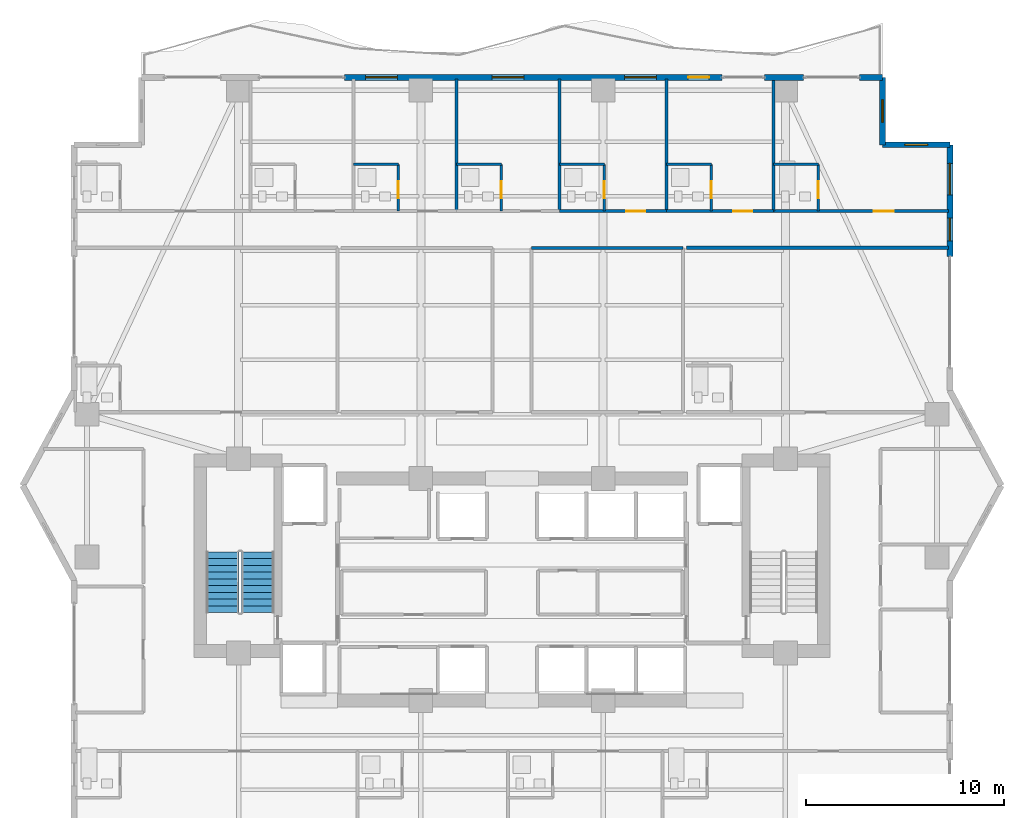
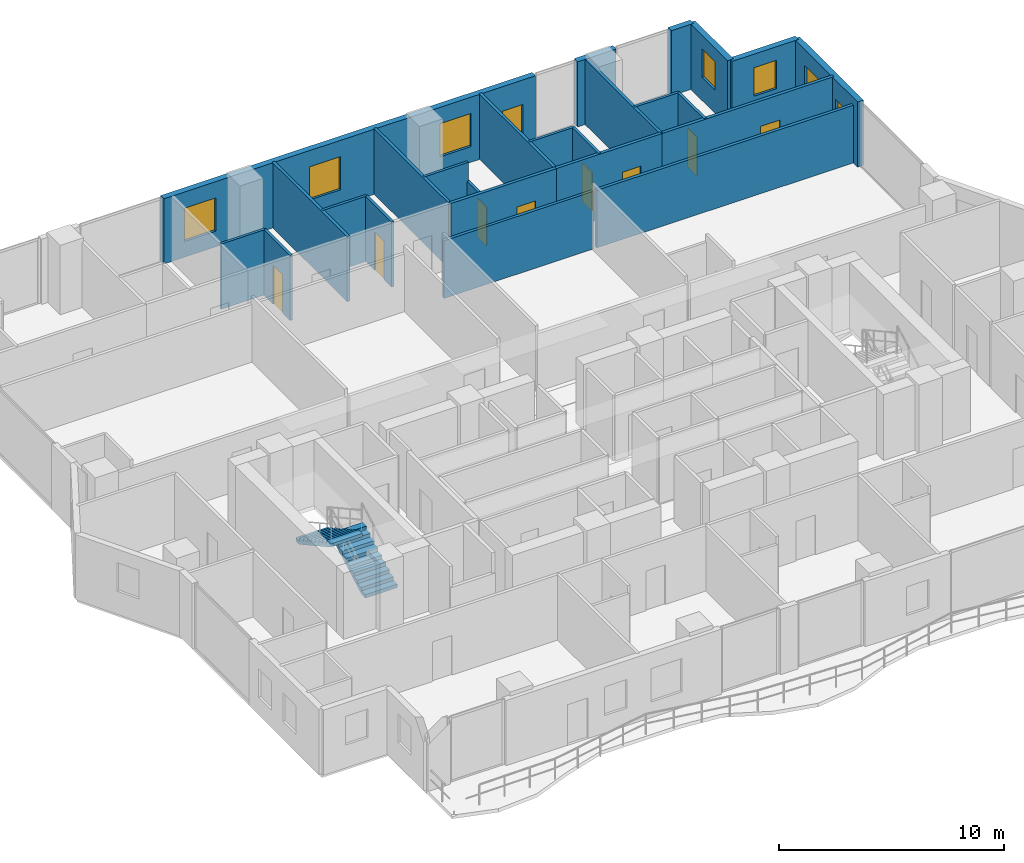
# One storey, part 28 of 33: 25 walls, 9 doors, 7 windows, 2 stair flights, 16 openings, 1 element without a shape of its own.
"""IFC4 building model written with IfcOpenShell, lengths in metres."""

from ifc_helpers import new_model, si_unit, direction, frame, frame_2d, origin, place, context, subcontext, project, spatial, polyline, rectangle, outline, extrude, material, layer, layer_set, type_object, element, fill, aggregate, save


model = new_model("IFC4")

# Units and contexts
model_context = context("Model", 3, precision=1e-05, world=origin(), true_north=direction((0.0, 1.0)))
body_context = subcontext(model_context, "Body", "Model", "MODEL_VIEW")
ifc_project = project(units=[si_unit("LENGTHUNIT", "METRE"), si_unit("AREAUNIT", "SQUARE_METRE"), si_unit("VOLUMEUNIT", "CUBIC_METRE"), si_unit("PLANEANGLEUNIT", "RADIAN"), si_unit("MASSUNIT", "GRAM", prefix="KILO")], contexts=[model_context])

# Site, building, storey
site_placement = place(None, origin())
site = spatial("IfcSite", under=ifc_project, at=site_placement, CompositionType="ELEMENT")
building_placement = place(site_placement, origin())
building = spatial("IfcBuilding", under=site, at=building_placement, Name="Zuhayl Quay Hotel", CompositionType="ELEMENT")
storey_placement = place(building_placement, frame((0.0, 0.0, 199.89990234375)))
storey = spatial("IfcBuildingStorey", under=building, at=storey_placement, Name="L50", CompositionType="ELEMENT", Elevation=199.89990234375)

# Wall, openings, door, windows
ifc_material_1 = material(Name="Precast concrete C45/55", Category="concrete")
ifc_layer_1 = layer(ifc_material_1, 0.300048828125, Name="Precast concrete C45/55", Category="concrete")
ifc_layer_set_1 = layer_set([ifc_layer_1], Name="Precast concrete C45/55")
wall_type_1 = type_object("IfcWallType", Name="WL_EXT_300", PredefinedType="STANDARD", material=ifc_layer_set_1)
wall_1_placement = place(storey_placement, frame((-8.449951171875, 33.60009765625, 0.0), z_axis=(0.0, 0.0, 1.0), x_axis=(1.0, 0.0, 0.0)))
wall_1 = element("IfcWall", 1, at=wall_1_placement, inside=storey, type_object=wall_type_1, Name="L50 Exterior Precast Wall ENV_L50_N_EW3", PredefinedType="STANDARD", context=body_context, shape_type="SweptSolid", body=[
    extrude(rectangle(XDim=19.044921875, YDim=0.300048828125, at=frame_2d((9.5224609375, 0.0))), origin(), (0.0, 0.0, 1.0), 3.530029296875),
])
opening_1_placement = place(wall_1_placement, frame((17.344970703125, 0.0, 0.0)))
opening_1 = element("IfcOpeningElement", 2, at=opening_1_placement, cuts=wall_1, Name="Opening DG1", PredefinedType="OPENING", context=body_context, shape_type="SweptSolid", body=[
    extrude(rectangle(XDim=1.050048828125, YDim=2.199951171875, at=frame_2d((0.52490234375, 1.10009765625))), frame((0.0, 0.159912109375, 0.0), z_axis=(0.0, -1.0, 0.0), x_axis=(1.0, 0.0, 0.0)), (0.0, 0.0, 1.0), 0.320068359375),
])
opening_2_placement = place(wall_1_placement, frame((7.449951171875, 0.0, 0.85009765625)))
opening_2 = element("IfcOpeningElement", 3, at=opening_2_placement, cuts=wall_1, Name="Opening W01", PredefinedType="OPENING", context=body_context, shape_type="SweptSolid", body=[
    extrude(rectangle(XDim=1.60009765625, YDim=1.800048828125, at=frame_2d((0.800048828125, 0.89990234375))), frame((0.0, 0.159912109375, 0.0), z_axis=(0.0, -1.0, 0.0), x_axis=(1.0, 0.0, 0.0)), (0.0, 0.0, 1.0), 0.320068359375),
])
opening_3_placement = place(wall_1_placement, frame((1.06005859375, 0.0, 0.85009765625)))
opening_3 = element("IfcOpeningElement", 4, at=opening_3_placement, cuts=wall_1, Name="Opening W01", PredefinedType="OPENING", context=body_context, shape_type="SweptSolid", body=[
    extrude(rectangle(XDim=1.60009765625, YDim=1.800048828125, at=frame_2d((0.800048828125, 0.89990234375))), frame((0.0, 0.159912109375, 0.0), z_axis=(0.0, -1.0, 0.0), x_axis=(1.0, 0.0, 0.0)), (0.0, 0.0, 1.0), 0.320068359375),
])
opening_4_placement = place(wall_1_placement, frame((14.139892578125, 0.0, 0.85009765625)))
opening_4 = element("IfcOpeningElement", 5, at=opening_4_placement, cuts=wall_1, Name="Opening W01", PredefinedType="OPENING", context=body_context, shape_type="SweptSolid", body=[
    extrude(rectangle(XDim=1.60009765625, YDim=1.800048828125, at=frame_2d((0.800048828125, 0.89990234375))), frame((0.0, 0.159912109375, 0.0), z_axis=(0.0, -1.0, 0.0), x_axis=(1.0, 0.0, 0.0)), (0.0, 0.0, 1.0), 0.320068359375),
])
ifc_material_2 = material(Name="Anodised Aluminium and Dark Solar Glass", Category="aluminium")
door_type_1 = type_object("IfcDoorType", Name="DR_EXT_TERR_1050", OperationType="NOTDEFINED", PredefinedType="DOOR", material=ifc_material_2)
door_1_placement = place(opening_1_placement, origin())
door_1 = element("IfcDoor", 6, at=door_1_placement, inside=storey, type_object=door_type_1, Name="L50 North Rippling Balcony Door", OperationType="SINGLE_SWING_LEFT", OverallHeight=2.199951171875, OverallWidth=1.050048828125, PredefinedType="DOOR", context=body_context, shape_type="SweptSolid", body=[
    extrude(rectangle(XDim=1.050048828125, YDim=2.199951171875, at=frame_2d((0.52490234375, 1.10009765625))), frame((0.0, 0.02490234375, 0.0), z_axis=(0.0, -1.0, 0.0), x_axis=(1.0, 0.0, 0.0)), (0.0, 0.0, 1.0), 0.050048828125),
])
fill(opening_1, door_1)
ifc_material_3 = material(Name="Dark Ceramic-Fritted Solar Glass", Category="glass")
window_type_1 = type_object("IfcWindowType", Name="WN_OPERABLE_1600", PartitioningType="DOUBLE_PANEL_VERTICAL", PredefinedType="WINDOW", material=ifc_material_3)
window_1_placement = place(opening_2_placement, origin())
window_1 = element("IfcWindow", 7, at=window_1_placement, inside=storey, type_object=window_type_1, Name="L50 North Operable Casement Window", OverallHeight=1.800048828125, OverallWidth=1.60009765625, PartitioningType="SINGLE_PANEL", PredefinedType="WINDOW", context=body_context, shape_type="SweptSolid", body=[
    extrude(rectangle(XDim=1.60009765625, YDim=1.800048828125, at=frame_2d((0.800048828125, 0.89990234375))), frame((0.0, 0.030029296875, 0.0), z_axis=(0.0, -1.0, 0.0), x_axis=(1.0, 0.0, 0.0)), (0.0, 0.0, 1.0), 0.06005859375),
])
fill(opening_2, window_1)
window_2_placement = place(opening_3_placement, origin())
window_2 = element("IfcWindow", 8, at=window_2_placement, inside=storey, type_object=window_type_1, Name="L50 Operable Facade Window 3-1", OverallHeight=1.800048828125, OverallWidth=1.60009765625, PartitioningType="SINGLE_PANEL", PredefinedType="WINDOW", context=body_context, shape_type="SweptSolid", body=[
    extrude(rectangle(XDim=1.60009765625, YDim=1.800048828125, at=frame_2d((0.800048828125, 0.89990234375))), frame((0.0, 0.030029296875, 0.0), z_axis=(0.0, -1.0, 0.0), x_axis=(1.0, 0.0, 0.0)), (0.0, 0.0, 1.0), 0.06005859375),
])
fill(opening_3, window_2)
window_3_placement = place(opening_4_placement, origin())
window_3 = element("IfcWindow", 9, at=window_3_placement, inside=storey, type_object=window_type_1, Name="L50 Operable Facade Window 3-2", OverallHeight=1.800048828125, OverallWidth=1.60009765625, PartitioningType="SINGLE_PANEL", PredefinedType="WINDOW", context=body_context, shape_type="SweptSolid", body=[
    extrude(rectangle(XDim=1.60009765625, YDim=1.800048828125, at=frame_2d((0.800048828125, 0.89990234375))), frame((0.0, 0.030029296875, 0.0), z_axis=(0.0, -1.0, 0.0), x_axis=(1.0, 0.0, 0.0)), (0.0, 0.0, 1.0), 0.06005859375),
])
fill(opening_4, window_3)

# Walls
wall_2_placement = place(storey_placement, frame((12.75, 33.60009765625, 0.0), z_axis=(0.0, 0.0, 1.0), x_axis=(1.0, 0.0, 0.0)))
element("IfcWall", 10, at=wall_2_placement, inside=storey, type_object=wall_type_1, Name="L50 Exterior Precast Wall ENV_L50_N_EW4", PredefinedType="STANDARD", context=body_context, shape_type="SweptSolid", body=[
    extrude(rectangle(XDim=1.969970703125, YDim=0.300048828125, at=frame_2d((0.98486328125, 0.0))), origin(), (0.0, 0.0, 1.0), 3.530029296875),
])
wall_3_placement = place(storey_placement, frame((17.550048828125, 33.60009765625, 0.0), z_axis=(0.0, 0.0, 1.0), x_axis=(1.0, 0.0, 0.0)))
element("IfcWall", 11, at=wall_3_placement, inside=storey, type_object=wall_type_1, Name="L50 Exterior Precast Wall ENV_L50_N_EW5", PredefinedType="STANDARD", context=body_context, shape_type="SweptSolid", body=[
    extrude(rectangle(XDim=1.14990234375, YDim=0.300048828125, at=frame_2d((0.574951171875, 0.0))), origin(), (0.0, 0.0, 1.0), 3.530029296875),
])

# Wall, opening, window
wall_4_placement = place(storey_placement, frame((18.699951171875, 33.60009765625, 0.0), z_axis=(0.0, 0.0, 1.0), x_axis=(0.0, -1.0, 0.0)))
wall_4 = element("IfcWall", 12, at=wall_4_placement, inside=storey, type_object=wall_type_1, Name="L50 Exterior Precast Wall ENV_L50_EW09", PredefinedType="STANDARD", context=body_context, shape_type="SweptSolid", body=[
    extrude(rectangle(XDim=3.400146484375, YDim=0.300048828125, at=frame_2d((1.7001953125, 0.0))), origin(), (0.0, 0.0, 1.0), 3.530029296875),
])
opening_5_placement = place(wall_4_placement, frame((1.125, 0.0, 1.25)))
opening_5 = element("IfcOpeningElement", 13, at=opening_5_placement, cuts=wall_4, Name="Opening W01N", PredefinedType="OPENING", context=body_context, shape_type="SweptSolid", body=[
    extrude(rectangle(XDim=1.14990234375, YDim=1.550048828125, at=frame_2d((0.574951171875, 0.77490234375))), frame((0.0, 0.159912109375, 0.0), z_axis=(0.0, -1.0, 0.0), x_axis=(1.0, 0.0, 0.0)), (0.0, 0.0, 1.0), 0.320068359375),
])
window_type_2 = type_object("IfcWindowType", Name="WN_NOTCH_1350", PartitioningType="SINGLE_PANEL", PredefinedType="WINDOW", material=ifc_material_3)
window_4_placement = place(opening_5_placement, origin())
window_4 = element("IfcWindow", 14, at=window_4_placement, inside=storey, type_object=window_type_2, Name="L50 Corner Notch Window 9", OverallHeight=1.550048828125, OverallWidth=1.14990234375, PartitioningType="SINGLE_PANEL", PredefinedType="WINDOW", context=body_context, shape_type="SweptSolid", body=[
    extrude(rectangle(XDim=1.14990234375, YDim=1.550048828125, at=frame_2d((0.574951171875, 0.77490234375))), frame((0.0, 0.030029296875, 0.0), z_axis=(0.0, -1.0, 0.0), x_axis=(1.0, 0.0, 0.0)), (0.0, 0.0, 1.0), 0.06005859375),
])
fill(opening_5, window_4)

wall_5_placement = place(storey_placement, frame((18.699951171875, 30.199951171875, 0.0), z_axis=(0.0, 0.0, 1.0), x_axis=(1.0, 0.0, 0.0)))
wall_5 = element("IfcWall", 15, at=wall_5_placement, inside=storey, type_object=wall_type_1, Name="L50 Exterior Precast Wall ENV_L50_EW10", PredefinedType="STANDARD", context=body_context, shape_type="SweptSolid", body=[
    extrude(rectangle(XDim=3.400146484375, YDim=0.300048828125, at=frame_2d((1.7001953125, 0.0))), origin(), (0.0, 0.0, 1.0), 3.530029296875),
])
opening_6_placement = place(wall_5_placement, frame((1.125, 0.0, 1.25)))
opening_6 = element("IfcOpeningElement", 16, at=opening_6_placement, cuts=wall_5, Name="Opening W01N", PredefinedType="OPENING", context=body_context, shape_type="SweptSolid", body=[
    extrude(rectangle(XDim=1.14990234375, YDim=1.550048828125, at=frame_2d((0.574951171875, 0.77490234375))), frame((0.0, 0.159912109375, 0.0), z_axis=(0.0, -1.0, 0.0), x_axis=(1.0, 0.0, 0.0)), (0.0, 0.0, 1.0), 0.320068359375),
])
window_5_placement = place(opening_6_placement, origin())
window_5 = element("IfcWindow", 17, at=window_5_placement, inside=storey, type_object=window_type_2, Name="L50 Corner Notch Window 10", OverallHeight=1.550048828125, OverallWidth=1.14990234375, PartitioningType="SINGLE_PANEL", PredefinedType="WINDOW", context=body_context, shape_type="SweptSolid", body=[
    extrude(rectangle(XDim=1.14990234375, YDim=1.550048828125, at=frame_2d((0.574951171875, 0.77490234375))), frame((0.0, 0.030029296875, 0.0), z_axis=(0.0, -1.0, 0.0), x_axis=(1.0, 0.0, 0.0)), (0.0, 0.0, 1.0), 0.06005859375),
])
fill(opening_6, window_5)

# Wall, openings, windows
wall_6_placement = place(storey_placement, frame((22.10009765625, 30.199951171875, 0.0), z_axis=(0.0, 0.0, 1.0), x_axis=(0.0, -1.0, 0.0)))
wall_6 = element("IfcWall", 18, at=wall_6_placement, inside=storey, type_object=wall_type_1, Name="L50 Exterior Precast Wall ENV_L50_E11_EW1", PredefinedType="STANDARD", context=body_context, shape_type="SweptSolid", body=[
    extrude(rectangle(XDim=5.64990234375, YDim=0.300048828125, at=frame_2d((2.824951171875, 0.0))), origin(), (0.0, 0.0, 1.0), 3.530029296875),
])
opening_7_placement = place(wall_6_placement, frame((0.93505859375, 0.0, 0.85009765625)))
opening_7 = element("IfcOpeningElement", 19, at=opening_7_placement, cuts=wall_6, Name="Opening W01", PredefinedType="OPENING", context=body_context, shape_type="SweptSolid", body=[
    extrude(rectangle(XDim=1.60009765625, YDim=1.800048828125, at=frame_2d((0.800048828125, 0.89990234375))), frame((0.0, 0.159912109375, 0.0), z_axis=(0.0, -1.0, 0.0), x_axis=(1.0, 0.0, 0.0)), (0.0, 0.0, 1.0), 0.320068359375),
])
opening_8_placement = place(wall_6_placement, frame((3.699951171875, 0.0, 0.949951171875)))
opening_8 = element("IfcOpeningElement", 20, at=opening_8_placement, cuts=wall_6, Name="Opening W01N", PredefinedType="OPENING", context=body_context, shape_type="SweptSolid", body=[
    extrude(rectangle(XDim=1.14990234375, YDim=1.550048828125, at=frame_2d((0.574951171875, 0.77490234375))), frame((0.0, 0.159912109375, 0.0), z_axis=(0.0, -1.0, 0.0), x_axis=(1.0, 0.0, 0.0)), (0.0, 0.0, 1.0), 0.320068359375),
])
window_6_placement = place(opening_8_placement, origin())
window_6 = element("IfcWindow", 21, at=window_6_placement, inside=storey, type_object=window_type_2, Name="L50 Operable Facade Window 1-2", OverallHeight=1.550048828125, OverallWidth=1.14990234375, PartitioningType="SINGLE_PANEL", PredefinedType="WINDOW", context=body_context, shape_type="SweptSolid", body=[
    extrude(rectangle(XDim=1.14990234375, YDim=1.550048828125, at=frame_2d((0.574951171875, 0.77490234375))), frame((0.0, 0.030029296875, 0.0), z_axis=(0.0, -1.0, 0.0), x_axis=(1.0, 0.0, 0.0)), (0.0, 0.0, 1.0), 0.06005859375),
])
fill(opening_8, window_6)
window_7_placement = place(opening_7_placement, origin())
window_7 = element("IfcWindow", 22, at=window_7_placement, inside=storey, type_object=window_type_1, Name="L50 Operable Facade Window 1-1", OverallHeight=1.800048828125, OverallWidth=1.60009765625, PartitioningType="SINGLE_PANEL", PredefinedType="WINDOW", context=body_context, shape_type="SweptSolid", body=[
    extrude(rectangle(XDim=1.60009765625, YDim=1.800048828125, at=frame_2d((0.800048828125, 0.89990234375))), frame((0.0, 0.030029296875, 0.0), z_axis=(0.0, -1.0, 0.0), x_axis=(1.0, 0.0, 0.0)), (0.0, 0.0, 1.0), 0.06005859375),
])
fill(opening_7, window_7)

# Walls
ifc_material_4 = material(Name="Acoustic Gypsum Partition STC-58")
ifc_layer_2 = layer(ifc_material_4, 0.14990234375, Name="Acoustic Gypsum Partition STC-58")
ifc_layer_set_2 = layer_set([ifc_layer_2], Name="Acoustic Gypsum Partition STC-58")
wall_type_2 = type_object("IfcWallType", Name="WL_PART_150", PredefinedType="PARTITIONING", material=ifc_layer_set_2)
for number, where, z_axis, x_axis, name in (
    (23, (-2.800048828125, 26.85009765625, 0.0), (0.0, 0.0, 1.0), (0.0, 1.0, 0.0), "L50 Partition IW_L50_NU03_E"),
    (24, (2.39990234375, 26.85009765625, 0.0), (0.0, 0.0, 1.0), (0.0, 1.0, 0.0), "L50 Partition IW_L50_NU04_E"),
    (25, (7.800048828125, 26.85009765625, 0.0), (0.0, 0.0, 1.0), (0.0, 1.0, 0.0), "L50 Partition IW_L50_NU05_E"),
    (26, (13.199951171875, 26.85009765625, 0.0), (0.0, 0.0, 1.0), (0.0, 1.0, 0.0), "L50 Partition IW_L50_NU06_E"),
):
    element("IfcWall", number, at=place(storey_placement, frame(where, z_axis=z_axis, x_axis=x_axis)), inside=storey, type_object=wall_type_2, Name=name, PredefinedType="PARTITIONING", context=body_context, shape_type="SweptSolid", body=[
        extrude(rectangle(XDim=6.669921875, YDim=0.14990234375, at=frame_2d((3.3349609375, 0.0))), origin(), (0.0, 0.0, 1.0), 3.530029296875),
    ])
wall_7_placement = place(storey_placement, frame((0.97998046875, 25.0, 0.0), z_axis=(0.0, 0.0, 1.0), x_axis=(1.0, 0.0, 0.0)))
element("IfcWall", 27, at=wall_7_placement, inside=storey, type_object=wall_type_2, Name="L50 Partition IW_L50_Z3_MID_E_N", PredefinedType="PARTITIONING", context=body_context, shape_type="SweptSolid", body=[
    extrude(rectangle(XDim=7.659912109375, YDim=0.14990234375, at=frame_2d((3.830078125, 0.0))), origin(), (0.0, 0.0, 1.0), 3.1240234375),
])

# Wall, opening, door
ifc_layer_3 = layer(ifc_material_4, 0.159912109375, Name="Acoustic Gypsum Partition STC-58")
ifc_layer_set_3 = layer_set([ifc_layer_3], Name="Acoustic Gypsum Partition STC-58")
wall_type_3 = type_object("IfcWallType", Name="WL_PART_CORR_160", PredefinedType="PARTITIONING", material=ifc_layer_set_3)
wall_8_placement = place(storey_placement, frame((2.39990234375, 26.85009765625, 0.0), z_axis=(0.0, 0.0, 1.0), x_axis=(1.0, 0.0, 0.0)))
wall_8 = element("IfcWall", 28, at=wall_8_placement, inside=storey, type_object=wall_type_3, Name="L50 Partition IW_L50_NU05_COR", PredefinedType="PARTITIONING", context=body_context, shape_type="SweptSolid", body=[
    extrude(rectangle(XDim=5.400146484375, YDim=0.159912109375, at=frame_2d((2.7001953125, 0.0))), origin(), (0.0, 0.0, 1.0), 3.530029296875),
])
opening_9_placement = place(wall_8_placement, frame((3.375, 0.0, 0.0)))
opening_9 = element("IfcOpeningElement", 29, at=opening_9_placement, cuts=wall_8, Name="Opening D03", PredefinedType="OPENING", context=body_context, shape_type="SweptSolid", body=[
    extrude(rectangle(XDim=0.949951171875, YDim=2.14990234375, at=frame_2d((0.47509765625, 1.074951171875))), frame((0.0, 0.08984375, 0.0), z_axis=(0.0, -1.0, 0.0), x_axis=(1.0, 0.0, 0.0)), (0.0, 0.0, 1.0), 0.179931640625),
])
ifc_material_5 = material(Name="Solid Walnut Acoustic Fire Door")
door_type_2 = type_object("IfcDoorType", Name="DR_SUITE_950", OperationType="NOTDEFINED", PredefinedType="DOOR", material=ifc_material_5)
door_2_placement = place(opening_9_placement, origin())
door_2 = element("IfcDoor", 30, at=door_2_placement, inside=storey, type_object=door_type_2, Name="L50 Panoramic Gulf Guest Room L50-05 Entrance Door", OperationType="SINGLE_SWING_RIGHT", OverallHeight=2.14990234375, OverallWidth=0.949951171875, PredefinedType="DOOR", context=body_context, shape_type="SweptSolid", body=[
    extrude(rectangle(XDim=0.949951171875, YDim=2.14990234375, at=frame_2d((0.47509765625, 1.074951171875))), frame((0.0, 0.02490234375, 0.0), z_axis=(0.0, -1.0, 0.0), x_axis=(1.0, 0.0, 0.0)), (0.0, 0.0, 1.0), 0.050048828125),
])
fill(opening_9, door_2)

wall_9_placement = place(storey_placement, frame((7.800048828125, 26.85009765625, 0.0), z_axis=(0.0, 0.0, 1.0), x_axis=(1.0, 0.0, 0.0)))
wall_9 = element("IfcWall", 31, at=wall_9_placement, inside=storey, type_object=wall_type_3, Name="L50 Partition IW_L50_NU06_COR", PredefinedType="PARTITIONING", context=body_context, shape_type="SweptSolid", body=[
    extrude(rectangle(XDim=5.39990234375, YDim=0.159912109375, at=frame_2d((2.699951171875, 0.0))), origin(), (0.0, 0.0, 1.0), 3.530029296875),
])
opening_10_placement = place(wall_9_placement, frame((3.375, 0.0, 0.0)))
opening_10 = element("IfcOpeningElement", 32, at=opening_10_placement, cuts=wall_9, Name="Opening D03", PredefinedType="OPENING", context=body_context, shape_type="SweptSolid", body=[
    extrude(rectangle(XDim=0.949951171875, YDim=2.14990234375, at=frame_2d((0.47509765625, 1.074951171875))), frame((0.0, 0.08984375, 0.0), z_axis=(0.0, -1.0, 0.0), x_axis=(1.0, 0.0, 0.0)), (0.0, 0.0, 1.0), 0.179931640625),
])
door_3_placement = place(opening_10_placement, origin())
door_3 = element("IfcDoor", 33, at=door_3_placement, inside=storey, type_object=door_type_2, Name="L50 Panoramic Gulf Guest Room L50-06 Entrance Door", OperationType="SINGLE_SWING_RIGHT", OverallHeight=2.14990234375, OverallWidth=0.949951171875, PredefinedType="DOOR", context=body_context, shape_type="SweptSolid", body=[
    extrude(rectangle(XDim=0.949951171875, YDim=2.14990234375, at=frame_2d((0.47509765625, 1.074951171875))), frame((0.0, 0.02490234375, 0.0), z_axis=(0.0, -1.0, 0.0), x_axis=(1.0, 0.0, 0.0)), (0.0, 0.0, 1.0), 0.050048828125),
])
fill(opening_10, door_3)

wall_10_placement = place(storey_placement, frame((13.199951171875, 26.85009765625, 0.0), z_axis=(0.0, 0.0, 1.0), x_axis=(1.0, 0.0, 0.0)))
wall_10 = element("IfcWall", 34, at=wall_10_placement, inside=storey, type_object=wall_type_3, Name="L50 Partition IW_L50_NU07_COR", PredefinedType="PARTITIONING", context=body_context, shape_type="SweptSolid", body=[
    extrude(rectangle(XDim=8.840087890625, YDim=0.159912109375, at=frame_2d((4.419921875, 0.0))), origin(), (0.0, 0.0, 1.0), 3.530029296875),
])
opening_11_placement = place(wall_10_placement, frame((5.070068359375, 0.0, 0.0)))
opening_11 = element("IfcOpeningElement", 35, at=opening_11_placement, cuts=wall_10, Name="Opening D03L", PredefinedType="OPENING", context=body_context, shape_type="SweptSolid", body=[
    extrude(rectangle(XDim=1.0, YDim=2.14990234375, at=frame_2d((0.5, 1.074951171875))), frame((0.0, 0.08984375, 0.0), z_axis=(0.0, -1.0, 0.0), x_axis=(1.0, 0.0, 0.0)), (0.0, 0.0, 1.0), 0.179931640625),
])
door_type_3 = type_object("IfcDoorType", Name="DR_SUITE_1000", OperationType="NOTDEFINED", PredefinedType="DOOR", material=ifc_material_5)
door_4_placement = place(opening_11_placement, origin())
door_4 = element("IfcDoor", 36, at=door_4_placement, inside=storey, type_object=door_type_3, Name="L50 Panoramic Gulf Guest Room L50-07 Entrance Door", OperationType="SINGLE_SWING_RIGHT", OverallHeight=2.14990234375, OverallWidth=1.0, PredefinedType="DOOR", context=body_context, shape_type="SweptSolid", body=[
    extrude(rectangle(XDim=1.0, YDim=2.14990234375, at=frame_2d((0.5, 1.074951171875))), frame((0.0, 0.02490234375, 0.0), z_axis=(0.0, -1.0, 0.0), x_axis=(1.0, 0.0, 0.0)), (0.0, 0.0, 1.0), 0.050048828125),
])
fill(opening_11, door_4)

# Wall
wall_11_placement = place(storey_placement, frame((8.800048828125, 25.0, 0.0), z_axis=(0.0, 0.0, 1.0), x_axis=(1.0, 0.0, 0.0)))
element("IfcWall", 37, at=wall_11_placement, inside=storey, type_object=wall_type_3, Name="L50 Partition IW_L50_MU04_BK", PredefinedType="PARTITIONING", context=body_context, shape_type="SweptSolid", body=[
    extrude(rectangle(XDim=13.239990234375, YDim=0.159912109375, at=frame_2d((6.6201171875, 0.0))), origin(), (0.0, 0.0, 1.0), 3.1240234375),
])

# Wall, opening, door
ifc_material_6 = material(Name="Moisture-Resistant Sanitarychase Gypsum")
ifc_layer_4 = layer(ifc_material_6, 0.135009765625, Name="Moisture-Resistant Sanitarychase Gypsum")
ifc_layer_set_4 = layer_set([ifc_layer_4], Name="Moisture-Resistant Sanitarychase Gypsum")
wall_type_4 = type_object("IfcWallType", Name="WL_PART_PLUMB_150", PredefinedType="PLUMBINGWALL", material=ifc_layer_set_4)
wall_12_placement = place(storey_placement, frame((-5.739990234375, 26.85009765625, 0.0), z_axis=(0.0, 0.0, 1.0), x_axis=(0.0, 1.0, 0.0)))
wall_12 = element("IfcWall", 38, at=wall_12_placement, inside=storey, type_object=wall_type_4, Name="L50 Partition IW_L50_NU03_BE", PredefinedType="PLUMBINGWALL", context=body_context, shape_type="SweptSolid", body=[
    extrude(rectangle(XDim=2.35986328125, YDim=0.135009765625, at=frame_2d((1.179931640625, 0.0))), origin(), (0.0, 0.0, 1.0), 3.530029296875),
])
opening_12_placement = place(wall_12_placement, frame((0.64990234375, 0.0, 0.0)))
opening_12 = element("IfcOpeningElement", 39, at=opening_12_placement, cuts=wall_12, Name="Opening D04", PredefinedType="OPENING", context=body_context, shape_type="SweptSolid", body=[
    extrude(rectangle(XDim=0.85009765625, YDim=2.10009765625, at=frame_2d((0.425048828125, 1.050048828125))), frame((0.0, 0.077392578125, 0.0), z_axis=(0.0, -1.0, 0.0), x_axis=(1.0, 0.0, 0.0)), (0.0, 0.0, 1.0), 0.155029296875),
])
ifc_material_7 = material(Name="Moisture-Resistant Walnut Veneer")
door_type_4 = type_object("IfcDoorType", Name="DR_BATH_850", OperationType="NOTDEFINED", PredefinedType="DOOR", material=ifc_material_7)
door_5_placement = place(opening_12_placement, origin())
door_5 = element("IfcDoor", 40, at=door_5_placement, inside=storey, type_object=door_type_4, Name="L50 Panoramic Gulf Guest Room L50-03 En-Suite Door", OperationType="SINGLE_SWING_LEFT", OverallHeight=2.10009765625, OverallWidth=0.85009765625, PredefinedType="DOOR", context=body_context, shape_type="SweptSolid", body=[
    extrude(rectangle(XDim=0.85009765625, YDim=2.10009765625, at=frame_2d((0.425048828125, 1.050048828125))), frame((0.0, 0.02490234375, 0.0), z_axis=(0.0, -1.0, 0.0), x_axis=(1.0, 0.0, 0.0)), (0.0, 0.0, 1.0), 0.050048828125),
])
fill(opening_12, door_5)

wall_13_placement = place(storey_placement, frame((-0.5400390625, 26.85009765625, 0.0), z_axis=(0.0, 0.0, 1.0), x_axis=(0.0, 1.0, 0.0)))
wall_13 = element("IfcWall", 41, at=wall_13_placement, inside=storey, type_object=wall_type_4, Name="L50 Partition IW_L50_NU04_BE", PredefinedType="PLUMBINGWALL", context=body_context, shape_type="SweptSolid", body=[
    extrude(rectangle(XDim=2.35986328125, YDim=0.135009765625, at=frame_2d((1.179931640625, 0.0))), origin(), (0.0, 0.0, 1.0), 3.530029296875),
])
opening_13_placement = place(wall_13_placement, frame((0.64990234375, 0.0, 0.0)))
opening_13 = element("IfcOpeningElement", 42, at=opening_13_placement, cuts=wall_13, Name="Opening D04", PredefinedType="OPENING", context=body_context, shape_type="SweptSolid", body=[
    extrude(rectangle(XDim=0.85009765625, YDim=2.10009765625, at=frame_2d((0.425048828125, 1.050048828125))), frame((0.0, 0.077392578125, 0.0), z_axis=(0.0, -1.0, 0.0), x_axis=(1.0, 0.0, 0.0)), (0.0, 0.0, 1.0), 0.155029296875),
])
door_6_placement = place(opening_13_placement, origin())
door_6 = element("IfcDoor", 43, at=door_6_placement, inside=storey, type_object=door_type_4, Name="L50 Panoramic Gulf Guest Room L50-04 En-Suite Door", OperationType="SINGLE_SWING_LEFT", OverallHeight=2.10009765625, OverallWidth=0.85009765625, PredefinedType="DOOR", context=body_context, shape_type="SweptSolid", body=[
    extrude(rectangle(XDim=0.85009765625, YDim=2.10009765625, at=frame_2d((0.425048828125, 1.050048828125))), frame((0.0, 0.02490234375, 0.0), z_axis=(0.0, -1.0, 0.0), x_axis=(1.0, 0.0, 0.0)), (0.0, 0.0, 1.0), 0.050048828125),
])
fill(opening_13, door_6)

wall_14_placement = place(storey_placement, frame((4.659912109375, 26.85009765625, 0.0), z_axis=(0.0, 0.0, 1.0), x_axis=(0.0, 1.0, 0.0)))
wall_14 = element("IfcWall", 44, at=wall_14_placement, inside=storey, type_object=wall_type_4, Name="L50 Partition IW_L50_NU05_BE", PredefinedType="PLUMBINGWALL", context=body_context, shape_type="SweptSolid", body=[
    extrude(rectangle(XDim=2.35986328125, YDim=0.135009765625, at=frame_2d((1.179931640625, 0.0))), origin(), (0.0, 0.0, 1.0), 2.51904296875),
])
opening_14_placement = place(wall_14_placement, frame((0.64990234375, 0.0, 0.0)))
opening_14 = element("IfcOpeningElement", 45, at=opening_14_placement, cuts=wall_14, Name="Opening D04", PredefinedType="OPENING", context=body_context, shape_type="SweptSolid", body=[
    extrude(rectangle(XDim=0.85009765625, YDim=2.10009765625, at=frame_2d((0.425048828125, 1.050048828125))), frame((0.0, 0.077392578125, 0.0), z_axis=(0.0, -1.0, 0.0), x_axis=(1.0, 0.0, 0.0)), (0.0, 0.0, 1.0), 0.155029296875),
])
door_7_placement = place(opening_14_placement, origin())
door_7 = element("IfcDoor", 46, at=door_7_placement, inside=storey, type_object=door_type_4, Name="L50 Panoramic Gulf Guest Room L50-05 En-Suite Door", OperationType="SINGLE_SWING_LEFT", OverallHeight=2.10009765625, OverallWidth=0.85009765625, PredefinedType="DOOR", context=body_context, shape_type="SweptSolid", body=[
    extrude(rectangle(XDim=0.85009765625, YDim=2.10009765625, at=frame_2d((0.425048828125, 1.050048828125))), frame((0.0, 0.02490234375, 0.0), z_axis=(0.0, -1.0, 0.0), x_axis=(1.0, 0.0, 0.0)), (0.0, 0.0, 1.0), 0.050048828125),
])
fill(opening_14, door_7)

wall_15_placement = place(storey_placement, frame((10.06005859375, 26.85009765625, 0.0), z_axis=(0.0, 0.0, 1.0), x_axis=(0.0, 1.0, 0.0)))
wall_15 = element("IfcWall", 47, at=wall_15_placement, inside=storey, type_object=wall_type_4, Name="L50 Partition IW_L50_NU06_BE", PredefinedType="PLUMBINGWALL", context=body_context, shape_type="SweptSolid", body=[
    extrude(rectangle(XDim=2.35986328125, YDim=0.135009765625, at=frame_2d((1.179931640625, 0.0))), origin(), (0.0, 0.0, 1.0), 3.530029296875),
])
opening_15_placement = place(wall_15_placement, frame((0.64990234375, 0.0, 0.0)))
opening_15 = element("IfcOpeningElement", 48, at=opening_15_placement, cuts=wall_15, Name="Opening D04", PredefinedType="OPENING", context=body_context, shape_type="SweptSolid", body=[
    extrude(rectangle(XDim=0.85009765625, YDim=2.10009765625, at=frame_2d((0.425048828125, 1.050048828125))), frame((0.0, 0.077392578125, 0.0), z_axis=(0.0, -1.0, 0.0), x_axis=(1.0, 0.0, 0.0)), (0.0, 0.0, 1.0), 0.155029296875),
])
door_8_placement = place(opening_15_placement, origin())
door_8 = element("IfcDoor", 49, at=door_8_placement, inside=storey, type_object=door_type_4, Name="L50 Panoramic Gulf Guest Room L50-06 En-Suite Door", OperationType="SINGLE_SWING_LEFT", OverallHeight=2.10009765625, OverallWidth=0.85009765625, PredefinedType="DOOR", context=body_context, shape_type="SweptSolid", body=[
    extrude(rectangle(XDim=0.85009765625, YDim=2.10009765625, at=frame_2d((0.425048828125, 1.050048828125))), frame((0.0, 0.02490234375, 0.0), z_axis=(0.0, -1.0, 0.0), x_axis=(1.0, 0.0, 0.0)), (0.0, 0.0, 1.0), 0.050048828125),
])
fill(opening_15, door_8)

wall_16_placement = place(storey_placement, frame((15.4599609375, 26.85009765625, 0.0), z_axis=(0.0, 0.0, 1.0), x_axis=(0.0, 1.0, 0.0)))
wall_16 = element("IfcWall", 50, at=wall_16_placement, inside=storey, type_object=wall_type_4, Name="L50 Partition IW_L50_NU07_BE", PredefinedType="PLUMBINGWALL", context=body_context, shape_type="SweptSolid", body=[
    extrude(rectangle(XDim=2.35986328125, YDim=0.135009765625, at=frame_2d((1.179931640625, 0.0))), origin(), (0.0, 0.0, 1.0), 3.530029296875),
])
opening_16_placement = place(wall_16_placement, frame((0.64990234375, 0.0, 0.0)))
opening_16 = element("IfcOpeningElement", 51, at=opening_16_placement, cuts=wall_16, Name="Opening D04", PredefinedType="OPENING", context=body_context, shape_type="SweptSolid", body=[
    extrude(rectangle(XDim=0.85009765625, YDim=2.10009765625, at=frame_2d((0.425048828125, 1.050048828125))), frame((0.0, 0.077392578125, 0.0), z_axis=(0.0, -1.0, 0.0), x_axis=(1.0, 0.0, 0.0)), (0.0, 0.0, 1.0), 0.155029296875),
])
door_9_placement = place(opening_16_placement, origin())
door_9 = element("IfcDoor", 52, at=door_9_placement, inside=storey, type_object=door_type_4, Name="L50 Panoramic Gulf Guest Room L50-07 En-Suite Door", OperationType="SINGLE_SWING_LEFT", OverallHeight=2.10009765625, OverallWidth=0.85009765625, PredefinedType="DOOR", context=body_context, shape_type="SweptSolid", body=[
    extrude(rectangle(XDim=0.85009765625, YDim=2.10009765625, at=frame_2d((0.425048828125, 1.050048828125))), frame((0.0, 0.02490234375, 0.0), z_axis=(0.0, -1.0, 0.0), x_axis=(1.0, 0.0, 0.0)), (0.0, 0.0, 1.0), 0.050048828125),
])
fill(opening_16, door_9)

# Walls
for number, where, z_axis, x_axis, name in (
    (53, (-8.0, 29.2099609375, 0.0), (0.0, 0.0, 1.0), (1.0, 0.0, 0.0), "L50 Partition IW_L50_NU03_BN"),
    (54, (-2.800048828125, 29.2099609375, 0.0), (0.0, 0.0, 1.0), (1.0, 0.0, 0.0), "L50 Partition IW_L50_NU04_BN"),
    (55, (2.39990234375, 29.2099609375, 0.0), (0.0, 0.0, 1.0), (1.0, 0.0, 0.0), "L50 Partition IW_L50_NU05_BN"),
    (56, (7.800048828125, 29.2099609375, 0.0), (0.0, 0.0, 1.0), (1.0, 0.0, 0.0), "L50 Partition IW_L50_NU06_BN"),
    (57, (13.199951171875, 29.2099609375, 0.0), (0.0, 0.0, 1.0), (1.0, 0.0, 0.0), "L50 Partition IW_L50_NU07_BN"),
):
    element("IfcWall", number, at=place(storey_placement, frame(where, z_axis=z_axis, x_axis=x_axis)), inside=storey, type_object=wall_type_4, Name=name, PredefinedType="PLUMBINGWALL", context=body_context, shape_type="SweptSolid", body=[
        extrude(rectangle(XDim=2.260009765625, YDim=0.135009765625, at=frame_2d((1.1298828125, 0.0))), origin(), (0.0, 0.0, 1.0), 3.530029296875),
    ])

# Stair, stair flights
ifc_material_8 = material(Name="Concrete C45/55", Category="concrete")
stair_type = type_object("IfcStairType", Name="ST_DOGLEG_TOWER", PredefinedType="HALF_TURN_STAIR", material=ifc_material_8)
stair_placement = place(storey_placement, origin())
stair = element("IfcStair", 58, at=stair_placement, inside=storey, type_object=stair_type, Name="L50 Smokeproof Exit Stair ST1", PredefinedType="HALF_TURN_STAIR")
ifc_layer_5 = layer(ifc_material_8, 0.159912109375, Name="Concrete C45/55", Category="concrete")
ifc_layer_set_5 = layer_set([ifc_layer_5], Name="Concrete C45/55")
stair_flight_type = type_object("IfcStairFlightType", Name="SF_CONC_164", PredefinedType="STRAIGHT", material=ifc_layer_set_5)
stair_flight_1_placement = place(storey_placement, frame((-12.820068359375, 6.590087890625, 0.0), z_axis=(0.0, 0.0, 1.0), x_axis=(0.0, 1.0, 0.0)))
stair_flight_1 = element("IfcStairFlight", 59, at=stair_flight_1_placement, type_object=stair_flight_type, Name="ST1 flight 1", NumberOfRisers=10, NumberOfTreads=9, PredefinedType="STRAIGHT", RiserHeight=0.1875, TreadLength=0.34, context=body_context, shape_type="SweptSolid", body=[
    extrude(outline(polyline([(0.0, 0.0), (0.0, 0.1875), (0.340087890625, 0.1875), (0.340087890625, 0.375), (0.679931640625, 0.375), (0.679931640625, 0.5625), (1.02001953125, 0.5625), (1.02001953125, 0.75), (1.360107421875, 0.75), (1.360107421875, 0.9375), (1.699951171875, 0.9375), (1.699951171875, 1.125), (2.0400390625, 1.125), (2.0400390625, 1.3125), (2.3798828125, 1.3125), (2.3798828125, 1.5), (2.719970703125, 1.5), (2.719970703125, 1.6875), (3.06005859375, 1.6875), (3.06005859375, 1.875), (3.06005859375, 1.516357421875), (0.310302734375, 0.0), (0.0, 0.0)])), frame((0.0, 0.81982421875, 0.0), z_axis=(0.0, -1.0, 0.0), x_axis=(1.0, 0.0, 0.0)), (0.0, 0.0, 1.0), 1.639892578125),
])
stair_flight_2_placement = place(storey_placement, frame((-14.610107421875, 9.64990234375, 1.875), z_axis=(0.0, 0.0, 1.0), x_axis=(0.0, -1.0, 0.0)))
stair_flight_2 = element("IfcStairFlight", 60, at=stair_flight_2_placement, type_object=stair_flight_type, Name="ST1 flight 2", NumberOfRisers=10, NumberOfTreads=9, PredefinedType="STRAIGHT", RiserHeight=0.1875, TreadLength=0.34, context=body_context, shape_type="SweptSolid", body=[
    extrude(outline(polyline([(0.0, 0.0), (0.0, 0.1875), (0.340087890625, 0.1875), (0.340087890625, 0.375), (0.679931640625, 0.375), (0.679931640625, 0.5625), (1.02001953125, 0.5625), (1.02001953125, 0.75), (1.360107421875, 0.75), (1.360107421875, 0.9375), (1.699951171875, 0.9375), (1.699951171875, 1.125), (2.0400390625, 1.125), (2.0400390625, 1.3125), (2.3798828125, 1.3125), (2.3798828125, 1.5), (2.719970703125, 1.5), (2.719970703125, 1.6875), (3.06005859375, 1.6875), (3.06005859375, 1.875), (3.06005859375, 1.516357421875), (0.310302734375, 0.0), (0.0, 0.0)])), frame((0.0, 0.81982421875, 0.0), z_axis=(0.0, -1.0, 0.0), x_axis=(1.0, 0.0, 0.0)), (0.0, 0.0, 1.0), 1.639892578125),
])
aggregate(stair, [stair_flight_1, stair_flight_2])

save(model, "model.ifc")
